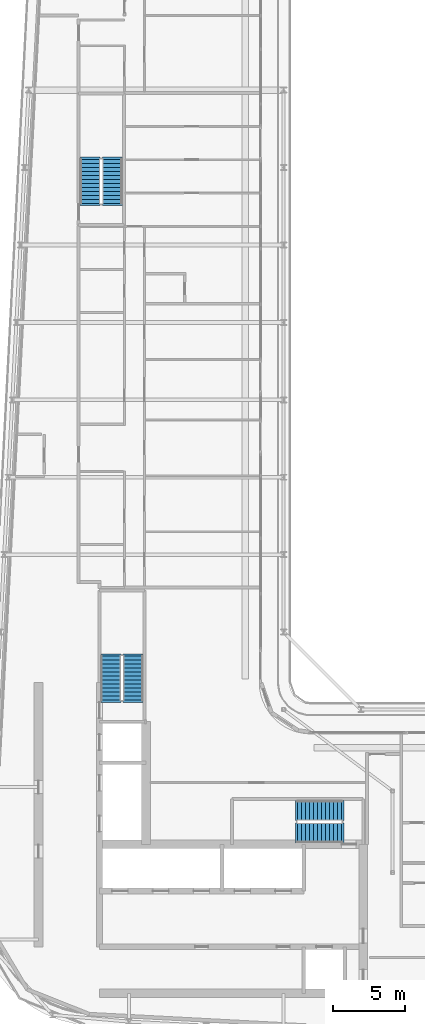
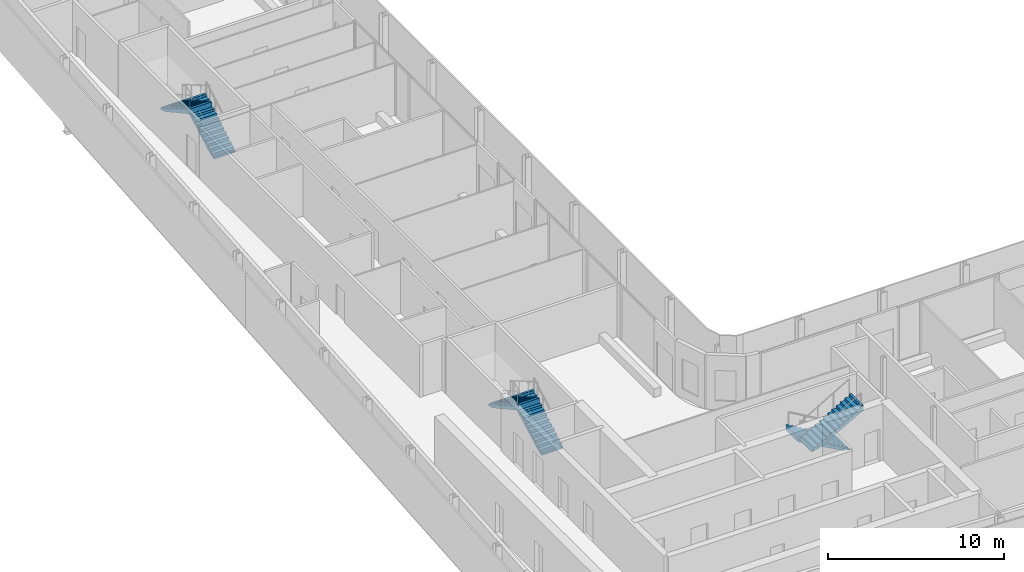
# One storey, part 15 of 21: 6 stair flights, 3 elements without a shape of their own.
"""IFC4 building model written with IfcOpenShell, lengths in metres."""

from ifc_helpers import new_model, si_unit, direction, frame, origin, place, context, subcontext, project, spatial, polyline, outline, extrude, material, layer, layer_set, type_object, element, aggregate, save


model = new_model("IFC4")

# Units and contexts
model_context = context("Model", 3, precision=1e-05, world=origin(), true_north=direction((0.0, 1.0)))
body_context = subcontext(model_context, "Body", "Model", "MODEL_VIEW")
ifc_project = project(units=[si_unit("LENGTHUNIT", "METRE"), si_unit("AREAUNIT", "SQUARE_METRE"), si_unit("VOLUMEUNIT", "CUBIC_METRE"), si_unit("PLANEANGLEUNIT", "RADIAN"), si_unit("MASSUNIT", "GRAM", prefix="KILO")], contexts=[model_context])

# Site, building, storey
site_placement = place(None, origin())
site = spatial("IfcSite", under=ifc_project, at=site_placement, CompositionType="ELEMENT")
building_placement = place(site_placement, origin())
building = spatial("IfcBuilding", under=site, at=building_placement, Name="Kheshtan School and Residences Tower", CompositionType="ELEMENT")
storey_placement = place(building_placement, frame((0.0, 0.0, 321.5)))
storey = spatial("IfcBuildingStorey", under=building, at=storey_placement, Name="L76", CompositionType="ELEMENT", Elevation=321.5)

# Stair, stair flights
ifc_material = material(Name="Concrete C40/50", Category="concrete")
stair_type = type_object("IfcStairType", Name="Exit stair, half-turn", PredefinedType="HALF_TURN_STAIR", material=ifc_material)
stair_1_placement = place(storey_placement, origin())
stair_1 = element("IfcStair", 1, at=stair_1_placement, inside=storey, type_object=stair_type, Name="L76 Protected Exit Stair ST1", PredefinedType="HALF_TURN_STAIR")
ifc_layer = layer(ifc_material, 0.14990234375)
ifc_layer_set = layer_set([ifc_layer], Name="Stair flight 1400 Concrete C40/50")
stair_flight_type = type_object("IfcStairFlightType", Name="Stair flight 1400 Concrete C40/50", PredefinedType="STRAIGHT", material=ifc_layer_set)
stair_flight_1_placement = place(storey_placement, frame((51.64990234375, 38.550048828125, 0.0), z_axis=(0.0, 0.0, 1.0), x_axis=(-1.0, 0.0, 0.0)))
stair_flight_1 = element("IfcStairFlight", 2, at=stair_flight_1_placement, type_object=stair_flight_type, Name="ST1 flight 1", NumberOfRisers=12, NumberOfTreads=11, PredefinedType="STRAIGHT", RiserHeight=0.1625, TreadLength=0.28, context=body_context, shape_type="SweptSolid", body=[
    extrude(outline(polyline([(-0.14990234375, -0.10009765625), (-0.14990234375, 0.0), (0.0, 0.0), (0.0, 0.16259765625), (0.280029296875, 0.16259765625), (0.280029296875, 0.324951171875), (0.56005859375, 0.324951171875), (0.56005859375, 0.487548828125), (0.840087890625, 0.487548828125), (0.840087890625, 0.64990234375), (1.1201171875, 0.64990234375), (1.1201171875, 0.8125), (1.39990234375, 0.8125), (1.39990234375, 0.97509765625), (1.679931640625, 0.97509765625), (1.679931640625, 1.137451171875), (1.9599609375, 1.137451171875), (1.9599609375, 1.300048828125), (2.239990234375, 1.300048828125), (2.239990234375, 1.46240234375), (2.52001953125, 1.46240234375), (2.52001953125, 1.625), (2.800048828125, 1.625), (2.800048828125, 1.78759765625), (3.080078125, 1.78759765625), (3.080078125, 1.949951171875), (3.080078125, 1.969970703125), (3.22998046875, 1.969970703125), (3.22998046875, 1.6142578125), (0.298583984375, 0.0), (-0.14990234375, -0.10009765625)])), frame((0.0, 0.699951171875, 0.0), z_axis=(0.0, -1.0, 0.0), x_axis=(1.0, 0.0, 0.0)), (0.0, 0.0, 1.0), 1.39990234375),
])
stair_flight_2_placement = place(storey_placement, frame((48.570068359375, 37.0, 1.949951171875), z_axis=(0.0, 0.0, 1.0), x_axis=(1.0, 0.0, 0.0)))
stair_flight_2 = element("IfcStairFlight", 3, at=stair_flight_2_placement, type_object=stair_flight_type, Name="ST1 flight 2", NumberOfRisers=12, NumberOfTreads=11, PredefinedType="STRAIGHT", RiserHeight=0.1625, TreadLength=0.28, context=body_context, shape_type="SweptSolid", body=[
    extrude(outline(polyline([(-0.14990234375, -0.10009765625), (-0.14990234375, 0.0), (0.0, 0.0), (0.0, 0.16259765625), (0.280029296875, 0.16259765625), (0.280029296875, 0.324951171875), (0.56005859375, 0.324951171875), (0.56005859375, 0.487548828125), (0.840087890625, 0.487548828125), (0.840087890625, 0.64990234375), (1.1201171875, 0.64990234375), (1.1201171875, 0.8125), (1.39990234375, 0.8125), (1.39990234375, 0.97509765625), (1.679931640625, 0.97509765625), (1.679931640625, 1.137451171875), (1.9599609375, 1.137451171875), (1.9599609375, 1.300048828125), (2.239990234375, 1.300048828125), (2.239990234375, 1.46240234375), (2.52001953125, 1.46240234375), (2.52001953125, 1.625), (2.800048828125, 1.625), (2.800048828125, 1.78759765625), (3.080078125, 1.78759765625), (3.080078125, 1.949951171875), (3.080078125, 1.969970703125), (3.22998046875, 1.969970703125), (3.22998046875, 1.6142578125), (0.298583984375, 0.0), (-0.14990234375, -0.10009765625)])), frame((0.0, 0.699951171875, 0.0), z_axis=(0.0, -1.0, 0.0), x_axis=(1.0, 0.0, 0.0)), (0.0, 0.0, 1.0), 1.39990234375),
])
aggregate(stair_1, [stair_flight_1, stair_flight_2])

stair_2_placement = place(storey_placement, origin())
stair_2 = element("IfcStair", 4, at=stair_2_placement, inside=storey, type_object=stair_type, Name="L76 Protected Exit Stair ST2", PredefinedType="HALF_TURN_STAIR")
stair_flight_3_placement = place(storey_placement, frame((37.10009765625, 46.25, 0.0), z_axis=(0.0, 0.0, 1.0), x_axis=(0.0, 1.0, 0.0)))
stair_flight_3 = element("IfcStairFlight", 5, at=stair_flight_3_placement, type_object=stair_flight_type, Name="ST2 flight 1", NumberOfRisers=12, NumberOfTreads=11, PredefinedType="STRAIGHT", RiserHeight=0.1625, TreadLength=0.28, context=body_context, shape_type="SweptSolid", body=[
    extrude(outline(polyline([(-0.14990234375, -0.10009765625), (-0.14990234375, 0.0), (0.0, 0.0), (0.0, 0.16259765625), (0.280029296875, 0.16259765625), (0.280029296875, 0.324951171875), (0.56005859375, 0.324951171875), (0.56005859375, 0.487548828125), (0.840087890625, 0.487548828125), (0.840087890625, 0.64990234375), (1.1201171875, 0.64990234375), (1.1201171875, 0.8125), (1.39990234375, 0.8125), (1.39990234375, 0.97509765625), (1.679931640625, 0.97509765625), (1.679931640625, 1.137451171875), (1.9599609375, 1.137451171875), (1.9599609375, 1.300048828125), (2.239990234375, 1.300048828125), (2.239990234375, 1.46240234375), (2.52001953125, 1.46240234375), (2.52001953125, 1.625), (2.800048828125, 1.625), (2.800048828125, 1.78759765625), (3.080078125, 1.78759765625), (3.080078125, 1.949951171875), (3.080078125, 1.969970703125), (3.22998046875, 1.969970703125), (3.22998046875, 1.6142578125), (0.298583984375, 0.0), (-0.14990234375, -0.10009765625)])), frame((0.0, 0.699951171875, 0.0), z_axis=(0.0, -1.0, 0.0), x_axis=(1.0, 0.0, 0.0)), (0.0, 0.0, 1.0), 1.39990234375),
])
stair_flight_4_placement = place(storey_placement, frame((35.550048828125, 49.330078125, 1.949951171875), z_axis=(0.0, 0.0, 1.0), x_axis=(0.0, -1.0, 0.0)))
stair_flight_4 = element("IfcStairFlight", 6, at=stair_flight_4_placement, type_object=stair_flight_type, Name="ST2 flight 2", NumberOfRisers=12, NumberOfTreads=11, PredefinedType="STRAIGHT", RiserHeight=0.1625, TreadLength=0.28, context=body_context, shape_type="SweptSolid", body=[
    extrude(outline(polyline([(-0.14990234375, -0.10009765625), (-0.14990234375, 0.0), (0.0, 0.0), (0.0, 0.16259765625), (0.280029296875, 0.16259765625), (0.280029296875, 0.324951171875), (0.56005859375, 0.324951171875), (0.56005859375, 0.487548828125), (0.840087890625, 0.487548828125), (0.840087890625, 0.64990234375), (1.1201171875, 0.64990234375), (1.1201171875, 0.8125), (1.39990234375, 0.8125), (1.39990234375, 0.97509765625), (1.679931640625, 0.97509765625), (1.679931640625, 1.137451171875), (1.9599609375, 1.137451171875), (1.9599609375, 1.300048828125), (2.239990234375, 1.300048828125), (2.239990234375, 1.46240234375), (2.52001953125, 1.46240234375), (2.52001953125, 1.625), (2.800048828125, 1.625), (2.800048828125, 1.78759765625), (3.080078125, 1.78759765625), (3.080078125, 1.949951171875), (3.080078125, 1.969970703125), (3.22998046875, 1.969970703125), (3.22998046875, 1.6142578125), (0.298583984375, 0.0), (-0.14990234375, -0.10009765625)])), frame((0.0, 0.699951171875, 0.0), z_axis=(0.0, -1.0, 0.0), x_axis=(1.0, 0.0, 0.0)), (0.0, 0.0, 1.0), 1.39990234375),
])
aggregate(stair_2, [stair_flight_3, stair_flight_4])

stair_3_placement = place(storey_placement, origin())
stair_3 = element("IfcStair", 7, at=stair_3_placement, inside=storey, type_object=stair_type, Name="L76 Protected Exit Stair ST3", PredefinedType="HALF_TURN_STAIR")
stair_flight_5_placement = place(storey_placement, frame((35.64990234375, 80.89990234375, 0.0), z_axis=(0.0, 0.0, 1.0), x_axis=(0.0, 1.0, 0.0)))
stair_flight_5 = element("IfcStairFlight", 8, at=stair_flight_5_placement, type_object=stair_flight_type, Name="ST3 flight 1", NumberOfRisers=12, NumberOfTreads=11, PredefinedType="STRAIGHT", RiserHeight=0.1625, TreadLength=0.28, context=body_context, shape_type="SweptSolid", body=[
    extrude(outline(polyline([(-0.14990234375, -0.10009765625), (-0.14990234375, 0.0), (0.0, 0.0), (0.0, 0.16259765625), (0.280029296875, 0.16259765625), (0.280029296875, 0.324951171875), (0.56005859375, 0.324951171875), (0.56005859375, 0.487548828125), (0.840087890625, 0.487548828125), (0.840087890625, 0.64990234375), (1.1201171875, 0.64990234375), (1.1201171875, 0.8125), (1.39990234375, 0.8125), (1.39990234375, 0.97509765625), (1.679931640625, 0.97509765625), (1.679931640625, 1.137451171875), (1.9599609375, 1.137451171875), (1.9599609375, 1.300048828125), (2.239990234375, 1.300048828125), (2.239990234375, 1.46240234375), (2.52001953125, 1.46240234375), (2.52001953125, 1.625), (2.800048828125, 1.625), (2.800048828125, 1.78759765625), (3.080078125, 1.78759765625), (3.080078125, 1.949951171875), (3.080078125, 1.969970703125), (3.22998046875, 1.969970703125), (3.22998046875, 1.6142578125), (0.298583984375, 0.0), (-0.14990234375, -0.10009765625)])), frame((0.0, 0.699951171875, 0.0), z_axis=(0.0, -1.0, 0.0), x_axis=(1.0, 0.0, 0.0)), (0.0, 0.0, 1.0), 1.39990234375),
])
stair_flight_6_placement = place(storey_placement, frame((34.10009765625, 83.97998046875, 1.949951171875), z_axis=(0.0, 0.0, 1.0), x_axis=(0.0, -1.0, 0.0)))
stair_flight_6 = element("IfcStairFlight", 9, at=stair_flight_6_placement, type_object=stair_flight_type, Name="ST3 flight 2", NumberOfRisers=12, NumberOfTreads=11, PredefinedType="STRAIGHT", RiserHeight=0.1625, TreadLength=0.28, context=body_context, shape_type="SweptSolid", body=[
    extrude(outline(polyline([(-0.14990234375, -0.10009765625), (-0.14990234375, 0.0), (0.0, 0.0), (0.0, 0.16259765625), (0.280029296875, 0.16259765625), (0.280029296875, 0.324951171875), (0.56005859375, 0.324951171875), (0.56005859375, 0.487548828125), (0.840087890625, 0.487548828125), (0.840087890625, 0.64990234375), (1.1201171875, 0.64990234375), (1.1201171875, 0.8125), (1.39990234375, 0.8125), (1.39990234375, 0.97509765625), (1.679931640625, 0.97509765625), (1.679931640625, 1.137451171875), (1.9599609375, 1.137451171875), (1.9599609375, 1.300048828125), (2.239990234375, 1.300048828125), (2.239990234375, 1.46240234375), (2.52001953125, 1.46240234375), (2.52001953125, 1.625), (2.800048828125, 1.625), (2.800048828125, 1.78759765625), (3.080078125, 1.78759765625), (3.080078125, 1.949951171875), (3.080078125, 1.969970703125), (3.22998046875, 1.969970703125), (3.22998046875, 1.6142578125), (0.298583984375, 0.0), (-0.14990234375, -0.10009765625)])), frame((0.0, 0.699951171875, 0.0), z_axis=(0.0, -1.0, 0.0), x_axis=(1.0, 0.0, 0.0)), (0.0, 0.0, 1.0), 1.39990234375),
])
aggregate(stair_3, [stair_flight_5, stair_flight_6])

save(model, "model.ifc")
